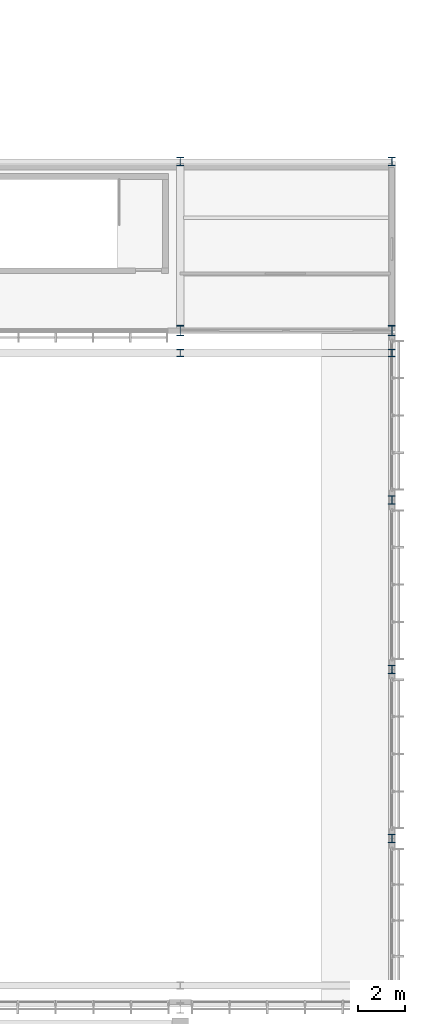
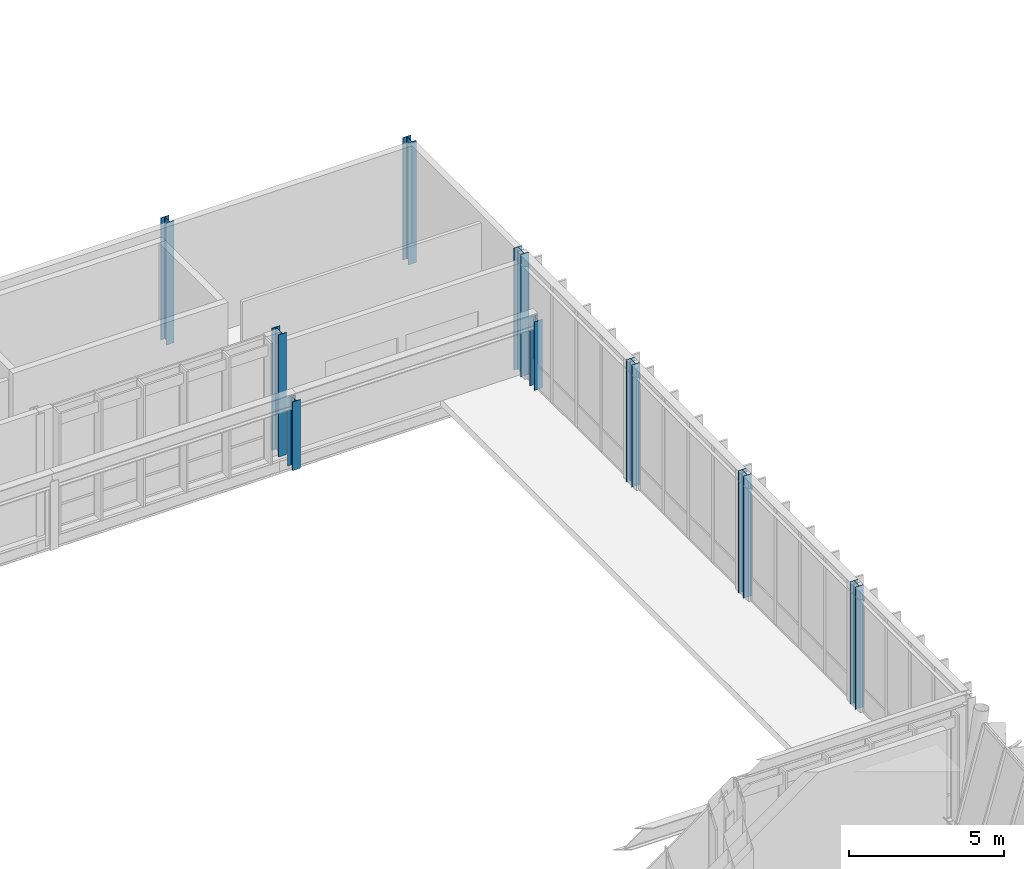
# One storey, part 9 of 177: 9 columns.
"""IFC4 building model written with IfcOpenShell, lengths in metres."""

from ifc_helpers import new_model, si_unit, direction, frame, origin, origin_2d, place, context, subcontext, project, spatial, i_section, extrude, material, material_profile, profile_set, type_object, element, save


model = new_model("IFC4")

# Units and contexts
model_context = context("Model", 3, precision=1e-05, world=origin(), true_north=direction((0.0, 1.0)))
body_context = subcontext(model_context, "Body", "Model", "MODEL_VIEW")
ifc_project = project(units=[si_unit("LENGTHUNIT", "METRE"), si_unit("AREAUNIT", "SQUARE_METRE"), si_unit("VOLUMEUNIT", "CUBIC_METRE"), si_unit("PLANEANGLEUNIT", "RADIAN"), si_unit("MASSUNIT", "GRAM", prefix="KILO")], contexts=[model_context])

# Site, building, storey
site_placement = place(None, origin())
site = spatial("IfcSite", under=ifc_project, at=site_placement, CompositionType="ELEMENT")
building_placement = place(site_placement, origin())
building = spatial("IfcBuilding", under=site, at=building_placement, Name="Chiffa Square Polytechnic", CompositionType="ELEMENT")
storey_placement = place(building_placement, frame((0.0, 0.0, 4.800048828125)))
storey = spatial("IfcBuildingStorey", under=building, at=storey_placement, Name="L01", CompositionType="ELEMENT", Elevation=4.800048828125)

# Columns
ifc_material = material(Name="Steel S355", Category="steel")
ifc_material_profile_1 = material_profile(ifc_material, i_section(OverallWidth=0.300048828125, OverallDepth=0.320068359375, WebThickness=0.011474609375, FlangeThickness=0.0205078125, FilletRadius=0.027099609375, at=origin_2d()), Name="HEB 320")
ifc_profile_set_1 = profile_set([ifc_material_profile_1], Name="Steel S355")
column_type_1 = type_object("IfcColumnType", Name="COL-STL-HEB320", PredefinedType="COLUMN", material=ifc_profile_set_1)
for number, where, z_axis, x_axis, name in (
    (1, (166.199951171875, 86.050048828125, 0.0), (0.0, 0.0, 1.0), (1.0, 0.0, 0.0), "Crane stanchion upper post C-V2-CRN-L01-166-N"),
    (2, (175.199951171875, 86.050048828125, 0.0), (0.0, 0.0, 1.0), (1.0, 0.0, 0.0), "Crane stanchion upper post C-V2-CRN-L01-175-N"),
):
    element("IfcColumn", number, at=place(storey_placement, frame(where, z_axis=z_axis, x_axis=x_axis)), inside=storey, type_object=column_type_1, Name=name, PredefinedType="COLUMN", context=body_context, shape_type="SweptSolid", body=[
        extrude(i_section(OverallWidth=0.300048828125, OverallDepth=0.320068359375, WebThickness=0.011474609375, FlangeThickness=0.0205078125, FilletRadius=0.027099609375, at=origin_2d()), origin(), (0.0, 0.0, 1.0), 2.699951171875),
    ])
ifc_material_profile_2 = material_profile(ifc_material, i_section(OverallWidth=0.300048828125, OverallDepth=0.360107421875, WebThickness=0.012451171875, FlangeThickness=0.0224609375, FilletRadius=0.027099609375, at=origin_2d()), Name="HEB 360")
ifc_profile_set_2 = profile_set([ifc_material_profile_2], Name="Steel S355")
column_type_2 = type_object("IfcColumnType", Name="COL-STL-HEB360", PredefinedType="COLUMN", material=ifc_profile_set_2)
for number, where, z_axis, x_axis, name in (
    (3, (166.199951171875, 94.199951171875, 0.0), (0.0, 0.0, 1.0), (1.0, 0.0, 0.0), "Column C-V2-L01-1662-0942"),
    (4, (175.199951171875, 65.39990234375, 0.0), (0.0, 0.0, 1.0), (1.0, 0.0, 0.0), "Column C-V2-L01-1752-0654"),
    (5, (175.199951171875, 72.60009765625, 0.0), (0.0, 0.0, 1.0), (1.0, 0.0, 0.0), "Column C-V2-L01-1752-0726"),
    (6, (175.199951171875, 79.800048828125, 0.0), (0.0, 0.0, 1.0), (1.0, 0.0, 0.0), "Column C-V2-L01-1752-0798"),
    (7, (175.199951171875, 94.199951171875, 0.0), (0.0, 0.0, 1.0), (1.0, 0.0, 0.0), "Column C-V2-L01-1752-0942"),
):
    element("IfcColumn", number, at=place(storey_placement, frame(where, z_axis=z_axis, x_axis=x_axis)), inside=storey, type_object=column_type_2, Name=name, PredefinedType="COLUMN", context=body_context, shape_type="SweptSolid", body=[
        extrude(i_section(OverallWidth=0.300048828125, OverallDepth=0.360107421875, WebThickness=0.012451171875, FlangeThickness=0.0224609375, FilletRadius=0.027099609375, at=origin_2d()), origin(), (0.0, 0.0, 1.0), 4.800048828125),
    ])
ifc_material_profile_3 = material_profile(ifc_material, i_section(OverallWidth=0.300048828125, OverallDepth=0.449951171875, WebThickness=0.013916015625, FlangeThickness=0.02587890625, FilletRadius=0.027099609375, at=origin_2d()), Name="HEB 450")
ifc_profile_set_3 = profile_set([ifc_material_profile_3], Name="Steel S355")
column_type_3 = type_object("IfcColumnType", Name="COL-STL-HEB450", PredefinedType="COLUMN", material=ifc_profile_set_3)
for number, where, z_axis, x_axis, name in (
    (8, (166.199951171875, 87.0, 0.0), (0.0, 0.0, 1.0), (1.0, 0.0, 0.0), "Column C-V2-L01-1662-0870"),
    (9, (175.199951171875, 87.0, 0.0), (0.0, 0.0, 1.0), (1.0, 0.0, 0.0), "Column C-V2-L01-1752-0870"),
):
    element("IfcColumn", number, at=place(storey_placement, frame(where, z_axis=z_axis, x_axis=x_axis)), inside=storey, type_object=column_type_3, Name=name, PredefinedType="COLUMN", context=body_context, shape_type="SweptSolid", body=[
        extrude(i_section(OverallWidth=0.300048828125, OverallDepth=0.449951171875, WebThickness=0.013916015625, FlangeThickness=0.02587890625, FilletRadius=0.027099609375, at=origin_2d()), origin(), (0.0, 0.0, 1.0), 4.800048828125),
    ])

save(model, "model.ifc")
